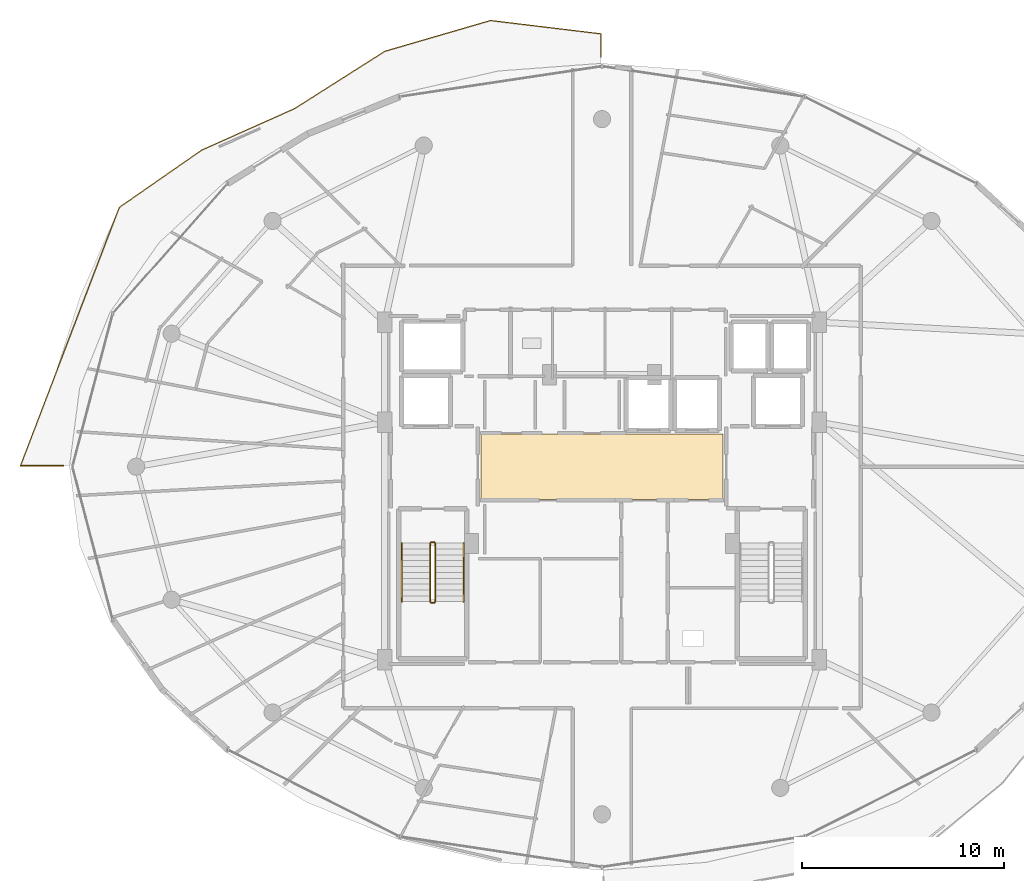
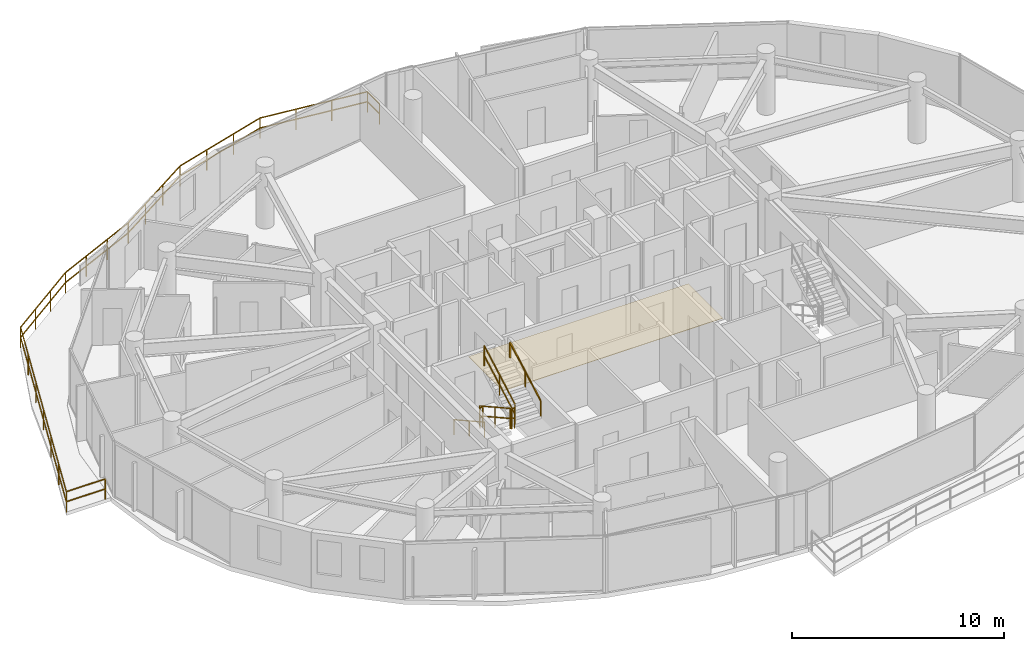
# One storey, part 22 of 25: 8 railings, 1 covering.
"""IFC4 building model written with IfcOpenShell, lengths in metres."""

from ifc_helpers import new_model, si_unit, direction, frame, origin, origin_2d, place, context, subcontext, project, spatial, polyline, rectangle, outline, extrude, material, layer, layer_set, type_object, element, save


model = new_model("IFC4")

# Units and contexts
model_context = context("Model", 3, precision=1e-05, world=origin(), true_north=direction((0.0, 1.0)))
body_context = subcontext(model_context, "Body", "Model", "MODEL_VIEW")
ifc_project = project(units=[si_unit("LENGTHUNIT", "METRE"), si_unit("AREAUNIT", "SQUARE_METRE"), si_unit("VOLUMEUNIT", "CUBIC_METRE"), si_unit("PLANEANGLEUNIT", "RADIAN"), si_unit("MASSUNIT", "GRAM", prefix="KILO")], contexts=[model_context])

# Site, building, storey
site_placement = place(None, origin())
site = spatial("IfcSite", under=ifc_project, at=site_placement, CompositionType="ELEMENT")
building_placement = place(site_placement, origin())
building = spatial("IfcBuilding", under=site, at=building_placement, Name="Vorneva Point Tower", CompositionType="ELEMENT")
storey_placement = place(building_placement, frame((0.0, 0.0, 276.85009765625)))
storey = spatial("IfcBuildingStorey", under=building, at=storey_placement, Name="L75", CompositionType="ELEMENT", Elevation=276.85009765625)

# Covering
ifc_material_1 = material(Name="Acoustic wool hospitality carpet", Category="textile")
ifc_layer = layer(ifc_material_1, 0.01806640625)
ifc_layer_set = layer_set([ifc_layer], Name="Acoustic wool hospitality carpet")
covering_type = type_object("IfcCoveringType", Name="COV-FLR-CRP", PredefinedType="FLOORING", material=ifc_layer_set)
covering_placement = place(storey_placement, frame((0.0, 0.0, -0.005126953125)))
element("IfcCovering", 1, at=covering_placement, inside=storey, type_object=covering_type, Name="L75 Lift Lobby Floor Finish", PredefinedType="FLOORING", context=body_context, shape_type="SweptSolid", body=[
    extrude(outline(polyline([(32.02001953125, 24.3701171875), (43.97998046875, 24.3701171875), (43.97998046875, 27.6298828125), (32.02001953125, 27.6298828125), (32.02001953125, 24.3701171875)])), origin(), (0.0, 0.0, 1.0), 0.02294921875),
])

# Railings
ifc_material_2 = material(Name="Pale anodised aluminium", Category="aluminium")
railing_type_1 = type_object("IfcRailingType", Name="RL-BAL-1200", PredefinedType="BALUSTRADE", material=ifc_material_2)
railing_1_placement = place(storey_placement, frame((9.22412109375, 26.050048828125, 0.0)))
element("IfcRailing", 2, at=railing_1_placement, inside=storey, type_object=railing_type_1, Name="L75 Wave Balcony Balustrade NW.1", PredefinedType="BALUSTRADE", context=body_context, shape_type="SweptSolid", body=[
    extrude(rectangle(XDim=0.048095703125, YDim=0.048095703125, at=origin_2d()), frame((0.0, 0.0, 1.17578125), z_axis=(1.0, 0.0, 0.0), x_axis=(0.0, 1.0, 0.0)), (0.0, 0.0, 1.0), 2.109619140625),
    extrude(rectangle(XDim=0.048095703125, YDim=0.048095703125, at=origin_2d()), frame((0.0, 0.0, 0.60009765625), z_axis=(1.0, 0.0, 0.0), x_axis=(0.0, 1.0, 0.0)), (0.0, 0.0, 1.0), 2.109619140625),
    extrude(rectangle(XDim=0.0419921875, YDim=0.0419921875, at=origin_2d()), origin(), (0.0, 0.0, 1.0), 1.15185546875),
    extrude(rectangle(XDim=0.0419921875, YDim=0.0419921875, at=origin_2d()), frame((2.109619140625, 0.0, 0.0)), (0.0, 0.0, 1.0), 1.15185546875),
])
railing_2_placement = place(storey_placement, frame((37.949951171875, 46.277099609375, 0.0)))
element("IfcRailing", 3, at=railing_2_placement, inside=storey, type_object=railing_type_1, Name="L75 Wave Balcony Balustrade NW.2", PredefinedType="BALUSTRADE", context=body_context, shape_type="SweptSolid", body=[
    extrude(rectangle(XDim=0.048095703125, YDim=0.048095703125, at=origin_2d()), frame((0.0, 0.0, 1.17578125), z_axis=(0.0, 1.0, 0.0), x_axis=(-1.0, 0.0, 0.0)), (0.0, 0.0, 1.0), 1.143798828125),
    extrude(rectangle(XDim=0.048095703125, YDim=0.048095703125, at=origin_2d()), frame((0.0, 0.0, 0.60009765625), z_axis=(0.0, 1.0, 0.0), x_axis=(-1.0, 0.0, 0.0)), (0.0, 0.0, 1.0), 1.143798828125),
    extrude(rectangle(XDim=0.048095703125, YDim=0.048095703125, at=origin_2d()), frame((0.0, 1.143798828125, 1.17578125), z_axis=(-0.992811242742, 0.119690585614, 0.0), x_axis=(-0.119690585614, -0.992811242742, 0.0)), (0.0, 0.0, 1.0), 5.50732421875),
    extrude(rectangle(XDim=0.048095703125, YDim=0.048095703125, at=origin_2d()), frame((0.0, 1.143798828125, 0.60009765625), z_axis=(-0.992811242742, 0.119690585614, 0.0), x_axis=(-0.119690585614, -0.992811242742, 0.0)), (0.0, 0.0, 1.0), 5.50732421875),
    extrude(rectangle(XDim=0.048095703125, YDim=0.048095703125, at=origin_2d()), frame((-5.4677734375, 1.802978515625, 1.17578125), z_axis=(-0.960109356383, -0.279624791078, 0.0), x_axis=(0.279624791078, -0.960109356383, 0.0)), (0.0, 0.0, 1.0), 5.447265625),
    extrude(rectangle(XDim=0.048095703125, YDim=0.048095703125, at=origin_2d()), frame((-5.4677734375, 1.802978515625, 0.60009765625), z_axis=(-0.960109356383, -0.279624791078, 0.0), x_axis=(0.279624791078, -0.960109356383, 0.0)), (0.0, 0.0, 1.0), 5.447265625),
    extrude(rectangle(XDim=0.048095703125, YDim=0.048095703125, at=origin_2d()), frame((-10.69775390625, 0.27978515625, 1.17578125), z_axis=(-0.844167028657, -0.53608024374, 0.0), x_axis=(0.53608024374, -0.844167028657, 0.0)), (0.0, 0.0, 1.0), 5.28564453125),
    extrude(rectangle(XDim=0.048095703125, YDim=0.048095703125, at=origin_2d()), frame((-10.69775390625, 0.27978515625, 0.60009765625), z_axis=(-0.844167028657, -0.53608024374, 0.0), x_axis=(0.53608024374, -0.844167028657, 0.0)), (0.0, 0.0, 1.0), 5.28564453125),
    extrude(rectangle(XDim=0.048095703125, YDim=0.048095703125, at=origin_2d()), frame((-15.15966796875, -2.5537109375, 1.17578125), z_axis=(-0.913022533986, -0.407909122763, 0.0), x_axis=(0.407909122763, -0.913022533986, 0.0)), (0.0, 0.0, 1.0), 5.038330078125),
    extrude(rectangle(XDim=0.048095703125, YDim=0.048095703125, at=origin_2d()), frame((-15.15966796875, -2.5537109375, 0.60009765625), z_axis=(-0.913022533986, -0.407909122763, 0.0), x_axis=(0.407909122763, -0.913022533986, 0.0)), (0.0, 0.0, 1.0), 5.038330078125),
    extrude(rectangle(XDim=0.048095703125, YDim=0.048095703125, at=origin_2d()), frame((-19.759765625, -4.60888671875, 1.17578125), z_axis=(-0.820997387807, -0.570931947971, 0.0), x_axis=(0.570931947971, -0.820997387807, 0.0)), (0.0, 0.0, 1.0), 4.965576171875),
    extrude(rectangle(XDim=0.048095703125, YDim=0.048095703125, at=origin_2d()), frame((-19.759765625, -4.60888671875, 0.60009765625), z_axis=(-0.820997387807, -0.570931947971, 0.0), x_axis=(0.570931947971, -0.820997387807, 0.0)), (0.0, 0.0, 1.0), 4.965576171875),
    extrude(rectangle(XDim=0.048095703125, YDim=0.048095703125, at=origin_2d()), frame((-23.83642578125, -7.44384765625, 1.17578125), z_axis=(-0.35724640499, -0.934010174528, 0.0), x_axis=(0.934010174528, -0.35724640499, 0.0)), (0.0, 0.0, 1.0), 13.686279296875),
    extrude(rectangle(XDim=0.048095703125, YDim=0.048095703125, at=origin_2d()), frame((-23.83642578125, -7.44384765625, 0.60009765625), z_axis=(-0.35724640499, -0.934010174528, 0.0), x_axis=(0.934010174528, -0.35724640499, 0.0)), (0.0, 0.0, 1.0), 13.686279296875),
    extrude(rectangle(XDim=0.0419921875, YDim=0.0419921875, at=origin_2d()), origin(), (0.0, 0.0, 1.0), 1.15185546875),
    extrude(rectangle(XDim=0.0419921875, YDim=0.0419921875, at=origin_2d()), frame((0.0, 1.143798828125, 0.0)), (0.0, 0.0, 1.0), 1.15185546875),
    extrude(rectangle(XDim=0.0419921875, YDim=0.0419921875, at=origin_2d()), frame((-1.822509765625, 1.363525390625, 0.0)), (0.0, 0.0, 1.0), 1.15185546875),
    extrude(rectangle(XDim=0.0419921875, YDim=0.0419921875, at=origin_2d()), frame((-3.645263671875, 1.583251953125, 0.0)), (0.0, 0.0, 1.0), 1.15185546875),
    extrude(rectangle(XDim=0.0419921875, YDim=0.0419921875, at=origin_2d()), frame((-5.4677734375, 1.802978515625, 0.0)), (0.0, 0.0, 1.0), 1.15185546875),
    extrude(rectangle(XDim=0.0419921875, YDim=0.0419921875, at=origin_2d()), frame((-7.211181640625, 1.295166015625, 0.0)), (0.0, 0.0, 1.0), 1.15185546875),
    extrude(rectangle(XDim=0.0419921875, YDim=0.0419921875, at=origin_2d()), frame((-8.954345703125, 0.78759765625, 0.0)), (0.0, 0.0, 1.0), 1.15185546875),
    extrude(rectangle(XDim=0.0419921875, YDim=0.0419921875, at=origin_2d()), frame((-10.69775390625, 0.27978515625, 0.0)), (0.0, 0.0, 1.0), 1.15185546875),
    extrude(rectangle(XDim=0.0419921875, YDim=0.0419921875, at=origin_2d()), frame((-12.18505859375, -0.664794921875, 0.0)), (0.0, 0.0, 1.0), 1.15185546875),
    extrude(rectangle(XDim=0.0419921875, YDim=0.0419921875, at=origin_2d()), frame((-13.67236328125, -1.609130859375, 0.0)), (0.0, 0.0, 1.0), 1.15185546875),
    extrude(rectangle(XDim=0.0419921875, YDim=0.0419921875, at=origin_2d()), frame((-15.15966796875, -2.5537109375, 0.0)), (0.0, 0.0, 1.0), 1.15185546875),
    extrude(rectangle(XDim=0.0419921875, YDim=0.0419921875, at=origin_2d()), frame((-16.693115234375, -3.23876953125, 0.0)), (0.0, 0.0, 1.0), 1.15185546875),
    extrude(rectangle(XDim=0.0419921875, YDim=0.0419921875, at=origin_2d()), frame((-18.226318359375, -3.923828125, 0.0)), (0.0, 0.0, 1.0), 1.15185546875),
    extrude(rectangle(XDim=0.0419921875, YDim=0.0419921875, at=origin_2d()), frame((-19.759765625, -4.60888671875, 0.0)), (0.0, 0.0, 1.0), 1.15185546875),
    extrude(rectangle(XDim=0.0419921875, YDim=0.0419921875, at=origin_2d()), frame((-21.11865234375, -5.553955078125, 0.0)), (0.0, 0.0, 1.0), 1.15185546875),
    extrude(rectangle(XDim=0.0419921875, YDim=0.0419921875, at=origin_2d()), frame((-22.4775390625, -6.498779296875, 0.0)), (0.0, 0.0, 1.0), 1.15185546875),
    extrude(rectangle(XDim=0.0419921875, YDim=0.0419921875, at=origin_2d()), frame((-23.83642578125, -7.44384765625, 0.0)), (0.0, 0.0, 1.0), 1.15185546875),
    extrude(rectangle(XDim=0.0419921875, YDim=0.0419921875, at=origin_2d()), frame((-24.6513671875, -9.574462890625, 0.0)), (0.0, 0.0, 1.0), 1.15185546875),
    extrude(rectangle(XDim=0.0419921875, YDim=0.0419921875, at=origin_2d()), frame((-25.46630859375, -11.704833984375, 0.0)), (0.0, 0.0, 1.0), 1.15185546875),
    extrude(rectangle(XDim=0.0419921875, YDim=0.0419921875, at=origin_2d()), frame((-26.28125, -13.83544921875, 0.0)), (0.0, 0.0, 1.0), 1.15185546875),
    extrude(rectangle(XDim=0.0419921875, YDim=0.0419921875, at=origin_2d()), frame((-27.095947265625, -15.966064453125, 0.0)), (0.0, 0.0, 1.0), 1.15185546875),
    extrude(rectangle(XDim=0.0419921875, YDim=0.0419921875, at=origin_2d()), frame((-27.910888671875, -18.096435546875, 0.0)), (0.0, 0.0, 1.0), 1.15185546875),
    extrude(rectangle(XDim=0.0419921875, YDim=0.0419921875, at=origin_2d()), frame((-28.725830078125, -20.22705078125, 0.0)), (0.0, 0.0, 1.0), 1.15185546875),
])
ifc_material_3 = material(Name="Brushed stainless steel S304", Category="steel")
railing_type_2 = type_object("IfcRailingType", Name="RL-HND-920", PredefinedType="HANDRAIL", material=ifc_material_3)
railing_3_placement = place(storey_placement, frame((28.10009765625, 22.219970703125, 0.161376953125)))
element("IfcRailing", 4, at=railing_3_placement, inside=storey, type_object=railing_type_2, Name="L75 ST1 stair handrail 1", PredefinedType="HANDRAIL", context=body_context, shape_type="SweptSolid", body=[
    extrude(rectangle(XDim=0.048095703125, YDim=0.048095703125, at=origin_2d()), frame((0.0, 0.0, 0.8759765625), z_axis=(0.0, -0.873841303929, 0.486211245805), x_axis=(1.0, 0.0, 0.0)), (0.0, 0.0, 1.0), 3.318603515625),
    extrude(rectangle(XDim=0.0419921875, YDim=0.0419921875, at=origin_2d()), origin(), (0.0, 0.0, 1.0), 0.851806640625),
    extrude(rectangle(XDim=0.0419921875, YDim=0.0419921875, at=origin_2d()), frame((0.0, -1.449951171875, 0.806640625)), (0.0, 0.0, 1.0), 0.851806640625),
    extrude(rectangle(XDim=0.0419921875, YDim=0.0419921875, at=origin_2d()), frame((0.0, -2.89990234375, 1.613525390625)), (0.0, 0.0, 1.0), 0.851806640625),
])
railing_4_placement = place(storey_placement, frame((31.14990234375, 19.320068359375, 1.936279296875)))
element("IfcRailing", 5, at=railing_4_placement, inside=storey, type_object=railing_type_2, Name="L75 ST1 stair handrail 2", PredefinedType="HANDRAIL", context=body_context, shape_type="SweptSolid", body=[
    extrude(rectangle(XDim=0.048095703125, YDim=0.048095703125, at=origin_2d()), frame((0.0, 0.0, 0.8759765625), z_axis=(0.0, 0.873841303929, 0.486211245805), x_axis=(-1.0, 0.0, 0.0)), (0.0, 0.0, 1.0), 3.318603515625),
    extrude(rectangle(XDim=0.0419921875, YDim=0.0419921875, at=origin_2d()), origin(), (0.0, 0.0, 1.0), 0.851806640625),
    extrude(rectangle(XDim=0.0419921875, YDim=0.0419921875, at=origin_2d()), frame((0.0, 1.449951171875, 0.806640625)), (0.0, 0.0, 1.0), 0.851806640625),
    extrude(rectangle(XDim=0.0419921875, YDim=0.0419921875, at=origin_2d()), frame((0.0, 2.89990234375, 1.613525390625)), (0.0, 0.0, 1.0), 0.851806640625),
])
railing_type_3 = type_object("IfcRailingType", Name="RL-STG-1100", PredefinedType="GUARDRAIL", material=ifc_material_3)
railing_5_placement = place(storey_placement, frame((29.5, 22.219970703125, 0.161376953125)))
element("IfcRailing", 6, at=railing_5_placement, inside=storey, type_object=railing_type_3, Name="L75 ST1 stair guard 1", PredefinedType="GUARDRAIL", context=body_context, shape_type="SweptSolid", body=[
    extrude(rectangle(XDim=0.048095703125, YDim=0.048095703125, at=origin_2d()), frame((0.0, 0.0, 1.17578125), z_axis=(0.0, -0.873841303929, 0.486211245805), x_axis=(1.0, 0.0, 0.0)), (0.0, 0.0, 1.0), 3.318603515625),
    extrude(rectangle(XDim=0.048095703125, YDim=0.048095703125, at=origin_2d()), frame((0.0, 0.0, 0.60009765625), z_axis=(0.0, -0.873841303929, 0.486211245805), x_axis=(1.0, 0.0, 0.0)), (0.0, 0.0, 1.0), 3.318603515625),
    extrude(rectangle(XDim=0.0419921875, YDim=0.0419921875, at=origin_2d()), origin(), (0.0, 0.0, 1.0), 1.15185546875),
    extrude(rectangle(XDim=0.0419921875, YDim=0.0419921875, at=origin_2d()), frame((0.0, -1.449951171875, 0.806640625)), (0.0, 0.0, 1.0), 1.15185546875),
    extrude(rectangle(XDim=0.0419921875, YDim=0.0419921875, at=origin_2d()), frame((0.0, -2.89990234375, 1.613525390625)), (0.0, 0.0, 1.0), 1.15185546875),
])
railing_6_placement = place(storey_placement, frame((29.550048828125, 19.27001953125, 1.77490234375)))
element("IfcRailing", 7, at=railing_6_placement, inside=storey, type_object=railing_type_3, Name="L75 ST1 stair guard 2", PredefinedType="GUARDRAIL", context=body_context, shape_type="SweptSolid", body=[
    extrude(rectangle(XDim=0.048095703125, YDim=0.048095703125, at=origin_2d()), frame((0.0, 0.0, 1.17578125), z_axis=(1.0, 0.0, 0.0), x_axis=(0.0, 1.0, 0.0)), (0.0, 0.0, 1.0), 0.14990234375),
    extrude(rectangle(XDim=0.048095703125, YDim=0.048095703125, at=origin_2d()), frame((0.0, 0.0, 0.60009765625), z_axis=(1.0, 0.0, 0.0), x_axis=(0.0, 1.0, 0.0)), (0.0, 0.0, 1.0), 0.14990234375),
    extrude(rectangle(XDim=0.0419921875, YDim=0.0419921875, at=origin_2d()), origin(), (0.0, 0.0, 1.0), 1.15185546875),
    extrude(rectangle(XDim=0.0419921875, YDim=0.0419921875, at=origin_2d()), frame((0.14990234375, 0.0, 0.0)), (0.0, 0.0, 1.0), 1.15185546875),
])
railing_7_placement = place(storey_placement, frame((29.75, 19.320068359375, 1.936279296875)))
element("IfcRailing", 8, at=railing_7_placement, inside=storey, type_object=railing_type_3, Name="L75 ST1 stair guard 3", PredefinedType="GUARDRAIL", context=body_context, shape_type="SweptSolid", body=[
    extrude(rectangle(XDim=0.048095703125, YDim=0.048095703125, at=origin_2d()), frame((0.0, 0.0, 1.17578125), z_axis=(0.0, 0.873841303929, 0.486211245805), x_axis=(-1.0, 0.0, 0.0)), (0.0, 0.0, 1.0), 3.318603515625),
    extrude(rectangle(XDim=0.048095703125, YDim=0.048095703125, at=origin_2d()), frame((0.0, 0.0, 0.60009765625), z_axis=(0.0, 0.873841303929, 0.486211245805), x_axis=(-1.0, 0.0, 0.0)), (0.0, 0.0, 1.0), 3.318603515625),
    extrude(rectangle(XDim=0.0419921875, YDim=0.0419921875, at=origin_2d()), origin(), (0.0, 0.0, 1.0), 1.15185546875),
    extrude(rectangle(XDim=0.0419921875, YDim=0.0419921875, at=origin_2d()), frame((0.0, 1.449951171875, 0.806640625)), (0.0, 0.0, 1.0), 1.15185546875),
    extrude(rectangle(XDim=0.0419921875, YDim=0.0419921875, at=origin_2d()), frame((0.0, 2.89990234375, 1.613525390625)), (0.0, 0.0, 1.0), 1.15185546875),
])
railing_8_placement = place(storey_placement, frame((29.550048828125, 22.27001953125, 0.0)))
element("IfcRailing", 9, at=railing_8_placement, inside=storey, type_object=railing_type_3, Name="L75 ST1 stair guard 4", PredefinedType="GUARDRAIL", context=body_context, shape_type="SweptSolid", body=[
    extrude(rectangle(XDim=0.048095703125, YDim=0.048095703125, at=origin_2d()), frame((0.0, 0.0, 1.17578125), z_axis=(1.0, 0.0, 0.0), x_axis=(0.0, 1.0, 0.0)), (0.0, 0.0, 1.0), 0.14990234375),
    extrude(rectangle(XDim=0.048095703125, YDim=0.048095703125, at=origin_2d()), frame((0.0, 0.0, 0.60009765625), z_axis=(1.0, 0.0, 0.0), x_axis=(0.0, 1.0, 0.0)), (0.0, 0.0, 1.0), 0.14990234375),
    extrude(rectangle(XDim=0.0419921875, YDim=0.0419921875, at=origin_2d()), origin(), (0.0, 0.0, 1.0), 1.15185546875),
    extrude(rectangle(XDim=0.0419921875, YDim=0.0419921875, at=origin_2d()), frame((0.14990234375, 0.0, 0.0)), (0.0, 0.0, 1.0), 1.15185546875),
])

save(model, "model.ifc")
